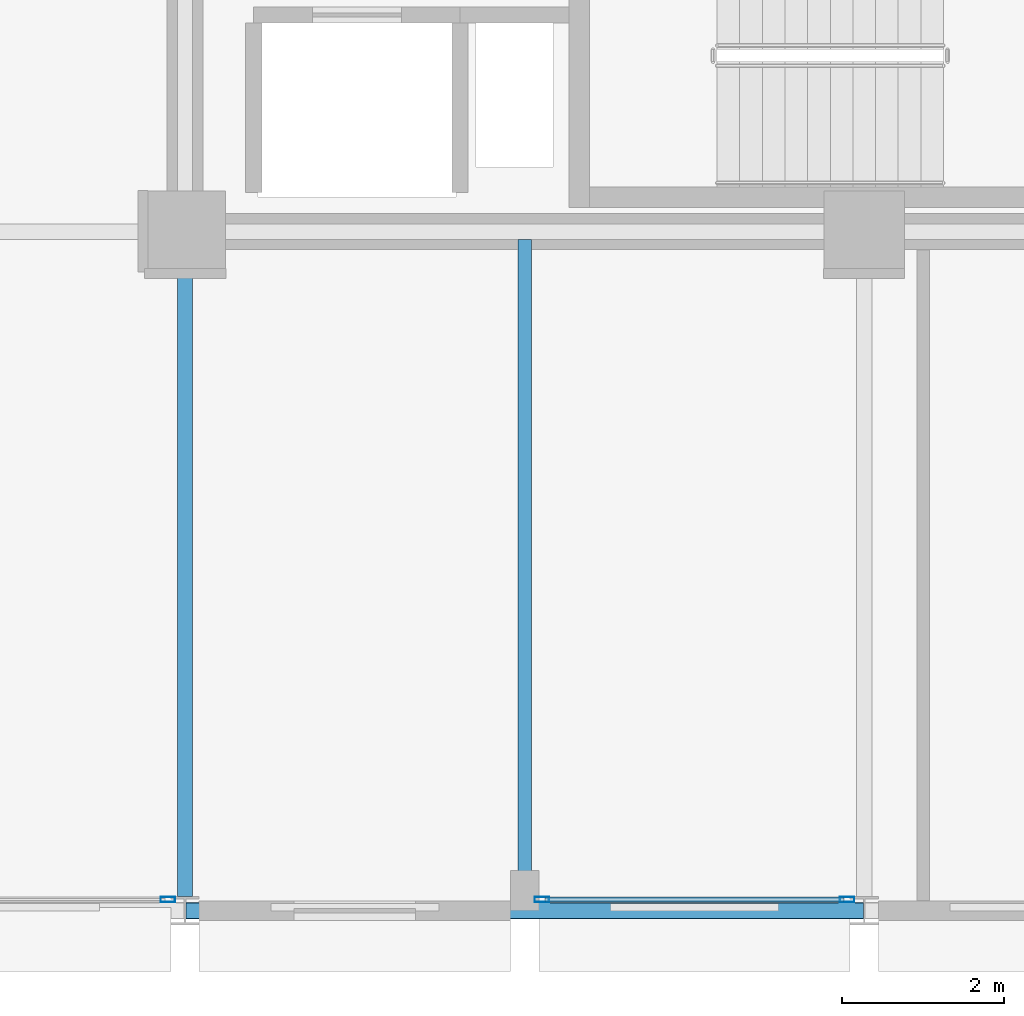
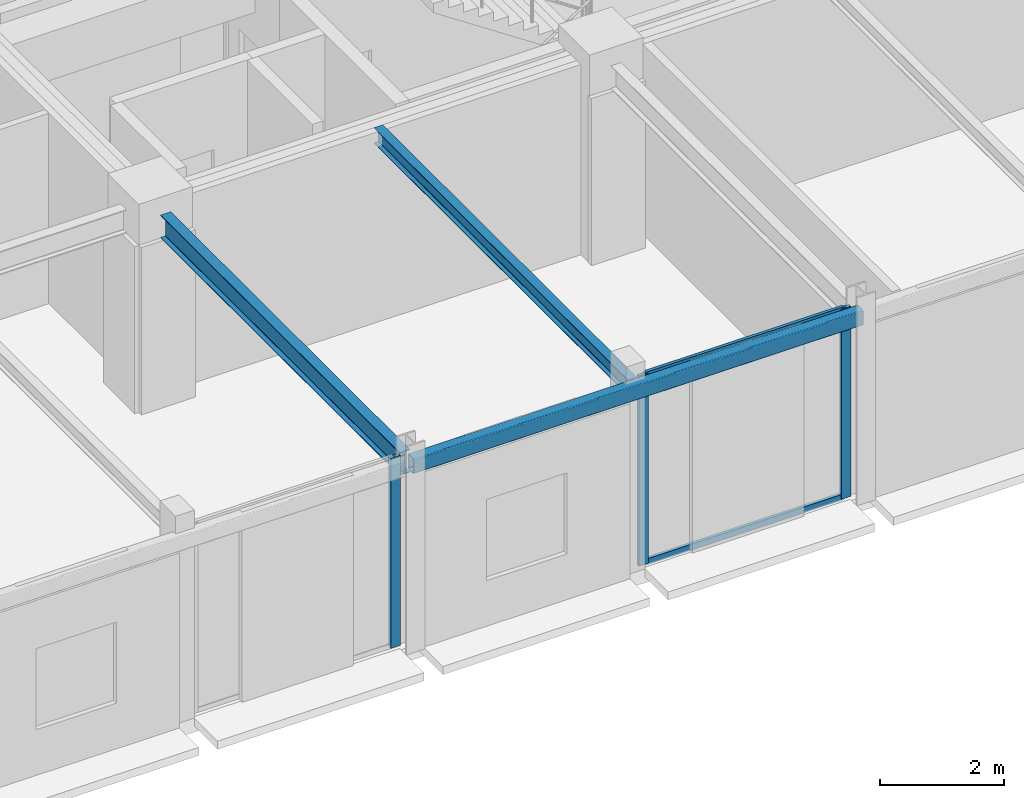
# One storey, part 6 of 26: 5 members, 3 beams, 2 elements without a shape of their own.
"""IFC4 building model written with IfcOpenShell, lengths in metres."""

from ifc_helpers import new_model, si_unit, direction, frame, origin, origin_2d, place, context, subcontext, project, spatial, hollow_rectangle, i_section, extrude, material, layer, layer_set, material_profile, profile_set, type_object, element, aggregate, save


model = new_model("IFC4")

# Units and contexts
model_context = context("Model", 3, precision=1e-05, world=origin(), true_north=direction((0.0, 1.0)))
body_context = subcontext(model_context, "Body", "Model", "MODEL_VIEW")
ifc_project = project(units=[si_unit("LENGTHUNIT", "METRE"), si_unit("AREAUNIT", "SQUARE_METRE"), si_unit("VOLUMEUNIT", "CUBIC_METRE"), si_unit("PLANEANGLEUNIT", "RADIAN"), si_unit("MASSUNIT", "GRAM", prefix="KILO")], contexts=[model_context])

# Site, building, storey
site_placement = place(None, origin())
site = spatial("IfcSite", under=ifc_project, at=site_placement, CompositionType="ELEMENT")
building_placement = place(site_placement, origin())
building = spatial("IfcBuilding", under=site, at=building_placement, Name="Nerrivon Quay Data Exchange", CompositionType="ELEMENT")
storey_placement = place(building_placement, frame((0.0, 0.0, 241.10009765625)))
storey = spatial("IfcBuildingStorey", under=building, at=storey_placement, Name="L57", CompositionType="ELEMENT", Elevation=241.10009765625)

# Beams
ifc_material_1 = material(Name="Steel Grade 350", Category="steel")
ifc_material_profile_1 = material_profile(ifc_material_1, i_section(OverallWidth=0.18994140625, OverallDepth=0.4541015625, WebThickness=0.008544921875, FlangeThickness=0.0126953125, FilletRadius=0.011474609375, at=origin_2d()), Name="460UB67.1")
ifc_profile_set_1 = profile_set([ifc_material_profile_1], Name="Steel Grade 350")
beam_type_1 = type_object("IfcBeamType", Name="BM-G6-460UB67", PredefinedType="BEAM", material=ifc_profile_set_1)
beam_1_placement = place(storey_placement, frame((16.800048828125, 0.175048828125, 3.52294921875), z_axis=(0.0, 1.0, 0.0), x_axis=(-1.0, 0.0, 0.0)))
element("IfcBeam", 1, at=beam_1_placement, inside=storey, type_object=beam_type_1, Name="L57 NS Girder X=16.8 (0.0..8.4)", PredefinedType="BEAM", context=body_context, shape_type="SweptSolid", body=[
    extrude(i_section(OverallWidth=0.18994140625, OverallDepth=0.4541015625, WebThickness=0.008544921875, FlangeThickness=0.0126953125, FilletRadius=0.011474609375, at=origin_2d()), origin(), (0.0, 0.0, 1.0), 7.724853515625),
])
ifc_material_profile_2 = material_profile(ifc_material_1, i_section(OverallWidth=0.166015625, OverallDepth=0.306884765625, WebThickness=0.006591796875, FlangeThickness=0.01171875, FilletRadius=0.011474609375, at=origin_2d()), Name="310UB46.2")
ifc_profile_set_2 = profile_set([ifc_material_profile_2], Name="Steel Grade 350")
beam_type_2 = type_object("IfcBeamType", Name="BM-J5-310UB46", PredefinedType="JOIST", material=ifc_profile_set_2)
beam_2_placement = place(storey_placement, frame((21.0, 0.10009765625, 3.596435546875), z_axis=(0.0, 1.0, 0.0), x_axis=(-1.0, 0.0, 0.0)))
element("IfcBeam", 2, at=beam_2_placement, inside=storey, type_object=beam_type_2, Name="L57 Secondary Joist X=21.0 (0.0..8.4)", PredefinedType="JOIST", context=body_context, shape_type="SweptSolid", body=[
    extrude(i_section(OverallWidth=0.166015625, OverallDepth=0.306884765625, WebThickness=0.006591796875, FlangeThickness=0.01171875, FilletRadius=0.011474609375, at=origin_2d()), origin(), (0.0, 0.0, 1.0), 8.204345703125),
])
ifc_material_2 = material(Name="Steel Grade C350L0 (350 MPa)", Category="steel")
ifc_material_profile_3 = material_profile(ifc_material_2, hollow_rectangle(XDim=0.199951171875, YDim=0.300048828125, WallThickness=0.012451171875, InnerFilletRadius=0.018798828125, OuterFilletRadius=0.03125, at=origin_2d()), Name="300x200x12.5RHS")
ifc_profile_set_3 = profile_set([ifc_material_profile_3], Name="Steel Grade C350L0 (350 MPa)")
beam_type_3 = type_object("IfcBeamType", Name="BM-SP3-300x200RHS", PredefinedType="SPANDREL", material=ifc_profile_set_3)
beam_3_placement = place(storey_placement, frame((16.81005859375, 0.0, 3.599853515625), z_axis=(1.0, 0.0, 0.0), x_axis=(0.0, 1.0, 0.0)))
element("IfcBeam", 3, at=beam_3_placement, inside=storey, type_object=beam_type_3, Name="L57 EW Girder Y=0.0 (16.8..25.2)", PredefinedType="SPANDREL", context=body_context, shape_type="SweptSolid", body=[
    extrude(hollow_rectangle(XDim=0.199951171875, YDim=0.300048828125, WallThickness=0.012451171875, InnerFilletRadius=0.018798828125, OuterFilletRadius=0.03125, at=origin_2d()), origin(), (0.0, 0.0, 1.0), 8.3798828125),
])

# Curtain wall, members
ifc_material_3 = material(Name="Anodised aluminium 6063-T6", Category="aluminium")
ifc_layer = layer(ifc_material_3, 0.195068359375)
ifc_layer_set = layer_set([ifc_layer], Name="Anodised aluminium 6063-T6")
curtain_wall_type = type_object("IfcCurtainWallType", Name="CW-SYS-06", PredefinedType="NOTDEFINED", material=ifc_layer_set)
curtain_wall_1_placement = place(storey_placement, origin())
curtain_wall_1 = element("IfcCurtainWall", 4, at=curtain_wall_1_placement, inside=storey, type_object=curtain_wall_type, Name="L57 Unitised Curtain Wall 4", PredefinedType="NOTDEFINED")
ifc_material_profile_4 = material_profile(ifc_material_3, hollow_rectangle(XDim=0.06494140625, YDim=0.179931640625, WallThickness=0.00341796875, at=origin_2d()), Name="ALU-MULL-180x65")
ifc_profile_set_4 = profile_set([ifc_material_profile_4], Name="Anodised aluminium 6063-T6")
member_type_1 = type_object("IfcMemberType", Name="CWM-180x65", PredefinedType="MULLION", material=ifc_profile_set_4)
member_1_placement = place(storey_placement, frame((24.987548828125, 0.139892578125, 0.0), z_axis=(0.0, 0.0, 1.0), x_axis=(0.0, -1.0, 0.0)))
member_1 = element("IfcMember", 5, at=member_1_placement, type_object=member_type_1, Name="CW06 mullion 1", PredefinedType="MULLION", context=body_context, shape_type="SweptSolid", body=[
    extrude(hollow_rectangle(XDim=0.06494140625, YDim=0.179931640625, WallThickness=0.00341796875, at=origin_2d()), origin(), (0.0, 0.0, 1.0), 3.75),
])
member_2_placement = place(storey_placement, frame((21.21240234375, 0.139892578125, 0.0), z_axis=(0.0, 0.0, 1.0), x_axis=(0.0, -1.0, 0.0)))
member_2 = element("IfcMember", 6, at=member_2_placement, type_object=member_type_1, Name="CW06 mullion 2", PredefinedType="MULLION", context=body_context, shape_type="SweptSolid", body=[
    extrude(hollow_rectangle(XDim=0.06494140625, YDim=0.179931640625, WallThickness=0.00341796875, at=origin_2d()), origin(), (0.0, 0.0, 1.0), 3.75),
])

# Curtain wall, member
curtain_wall_2_placement = place(storey_placement, origin())
curtain_wall_2 = element("IfcCurtainWall", 7, at=curtain_wall_2_placement, inside=storey, type_object=curtain_wall_type, Name="L57 Unitised Curtain Wall 6", PredefinedType="NOTDEFINED")
member_3_placement = place(storey_placement, frame((16.58740234375, 0.139892578125, 0.0), z_axis=(0.0, 0.0, 1.0), x_axis=(0.0, -1.0, 0.0)))
member_3 = element("IfcMember", 8, at=member_3_placement, type_object=member_type_1, Name="CW06 mullion 1", PredefinedType="MULLION", context=body_context, shape_type="SweptSolid", body=[
    extrude(hollow_rectangle(XDim=0.06494140625, YDim=0.179931640625, WallThickness=0.00341796875, at=origin_2d()), origin(), (0.0, 0.0, 1.0), 3.75),
])
aggregate(curtain_wall_2, [member_3])

# Member
ifc_material_profile_5 = material_profile(ifc_material_3, hollow_rectangle(XDim=0.06005859375, YDim=0.1201171875, WallThickness=0.003173828125, at=origin_2d()), Name="ALU-TRAN-120x60")
ifc_profile_set_5 = profile_set([ifc_material_profile_5], Name="Anodised aluminium 6063-T6")
member_type_2 = type_object("IfcMemberType", Name="CWT-120x60", PredefinedType="USERDEFINED", material=ifc_profile_set_5)
member_4_placement = place(storey_placement, frame((24.949951171875, 0.139892578125, 0.032470703125), z_axis=(-1.0, 0.0, 0.0), x_axis=(0.0, -1.0, 0.0)))
member_4 = element("IfcMember", 9, at=member_4_placement, type_object=member_type_2, Name="CW06 transom 1.1", ObjectType="TRANSOM", PredefinedType="USERDEFINED", context=body_context, shape_type="SweptSolid", body=[
    extrude(hollow_rectangle(XDim=0.06005859375, YDim=0.1201171875, WallThickness=0.003173828125, at=origin_2d()), origin(), (0.0, 0.0, 1.0), 3.699951171875),
])

member_5_placement = place(storey_placement, frame((24.949951171875, 0.139892578125, 3.71728515625), z_axis=(-1.0, 0.0, 0.0), x_axis=(0.0, -1.0, 0.0)))
member_5 = element("IfcMember", 10, at=member_5_placement, type_object=member_type_2, Name="CW06 transom 1.2", ObjectType="TRANSOM", PredefinedType="USERDEFINED", context=body_context, shape_type="SweptSolid", body=[
    extrude(hollow_rectangle(XDim=0.06005859375, YDim=0.1201171875, WallThickness=0.003173828125, at=origin_2d()), origin(), (0.0, 0.0, 1.0), 3.699951171875),
])

aggregate(curtain_wall_1, [member_1, member_2, member_4, member_5])

save(model, "model.ifc")
